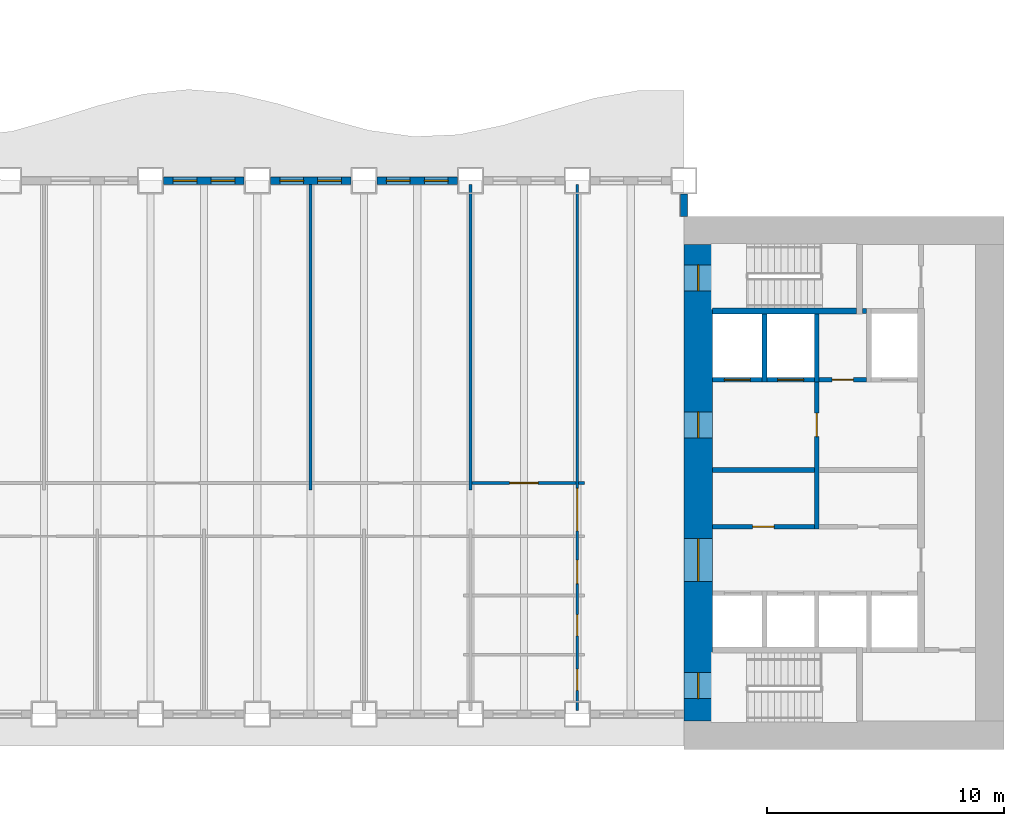
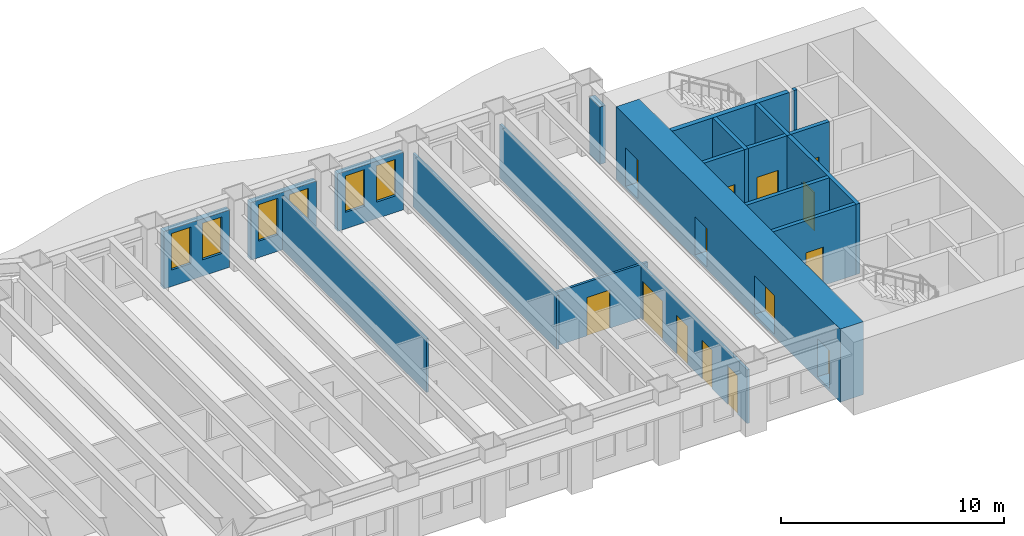
# One storey, part 6 of 15: 20 walls, 14 doors, 6 windows, 20 openings.
"""IFC4 building model written with IfcOpenShell, lengths in metres."""

from ifc_helpers import new_model, si_unit, direction, frame, frame_2d, origin, place, context, subcontext, project, spatial, rectangle, extrude, material, layer, layer_set, type_object, element, fill, save


model = new_model("IFC4")

# Units and contexts
model_context = context("Model", 3, precision=1e-05, world=origin(), true_north=direction((0.0, 1.0)))
body_context = subcontext(model_context, "Body", "Model", "MODEL_VIEW")
ifc_project = project(units=[si_unit("LENGTHUNIT", "METRE"), si_unit("AREAUNIT", "SQUARE_METRE"), si_unit("VOLUMEUNIT", "CUBIC_METRE"), si_unit("PLANEANGLEUNIT", "RADIAN"), si_unit("MASSUNIT", "GRAM", prefix="KILO")], contexts=[model_context])

# Site, building, storey
site_placement = place(None, origin())
site = spatial("IfcSite", under=ifc_project, at=site_placement, CompositionType="ELEMENT")
building_placement = place(site_placement, origin())
building = spatial("IfcBuilding", under=site, at=building_placement, Name="Sennacour Bend Tower", CompositionType="ELEMENT")
storey_placement = place(building_placement, frame((0.0, 0.0, 33.0)))
storey = spatial("IfcBuildingStorey", under=building, at=storey_placement, Name="L06", CompositionType="ELEMENT", Elevation=33.0)

# Wall, openings, doors
ifc_material_1 = material(Name="Concrete C80/95", Category="concrete")
ifc_layer_1 = layer(ifc_material_1, 1.199951171875, Name="Concrete C80/95", Category="concrete")
ifc_layer_set_1 = layer_set([ifc_layer_1], Name="Concrete C80/95")
wall_type_1 = type_object("IfcWallType", Name="Core wall 1200 C80/95", PredefinedType="SHEAR", material=ifc_layer_set_1)
wall_1_placement = place(storey_placement, frame((54.60009765625, 1.199951171875, -0.14990234375), z_axis=(0.0, 0.0, 1.0), x_axis=(0.0, 1.0, 0.0)))
wall_1 = element("IfcWall", 1, at=wall_1_placement, inside=storey, type_object=wall_type_1, Name="Core A wall L06 W", PredefinedType="SHEAR", context=body_context, shape_type="SweptSolid", body=[
    extrude(rectangle(XDim=20.10009765625, YDim=1.199951171875, at=frame_2d((10.050048828125, 0.0))), origin(), (0.0, 0.0, 1.0), 4.0),
])
opening_1_placement = place(wall_1_placement, frame((5.89990234375, 0.0, 0.14990234375)))
opening_1 = element("IfcOpeningElement", 2, at=opening_1_placement, cuts=wall_1, Name="Opening CD", PredefinedType="OPENING", context=body_context, shape_type="SweptSolid", body=[
    extrude(rectangle(XDim=1.800048828125, YDim=2.10009765625, at=frame_2d((0.89990234375, 1.050048828125))), frame((0.0, 0.60986328125, 0.0), z_axis=(0.0, -1.0, 0.0), x_axis=(1.0, 0.0, 0.0)), (0.0, 0.0, 1.0), 1.219970703125),
])
opening_2_placement = place(wall_1_placement, frame((11.949951171875, 0.0, 0.14990234375)))
opening_2 = element("IfcOpeningElement", 3, at=opening_2_placement, cuts=wall_1, Name="Opening FD", PredefinedType="OPENING", context=body_context, shape_type="SweptSolid", body=[
    extrude(rectangle(XDim=1.10009765625, YDim=2.10009765625, at=frame_2d((0.550048828125, 1.050048828125))), frame((0.0, 0.60986328125, 0.0), z_axis=(0.0, -1.0, 0.0), x_axis=(1.0, 0.0, 0.0)), (0.0, 0.0, 1.0), 1.219970703125),
])
opening_3_placement = place(wall_1_placement, frame((0.949951171875, 0.0, 0.14990234375)))
opening_3 = element("IfcOpeningElement", 4, at=opening_3_placement, cuts=wall_1, Name="Opening SD", PredefinedType="OPENING", context=body_context, shape_type="SweptSolid", body=[
    extrude(rectangle(XDim=1.10009765625, YDim=2.10009765625, at=frame_2d((0.550048828125, 1.050048828125))), frame((0.0, 0.60986328125, 0.0), z_axis=(0.0, -1.0, 0.0), x_axis=(1.0, 0.0, 0.0)), (0.0, 0.0, 1.0), 1.219970703125),
])
opening_4_placement = place(wall_1_placement, frame((18.14990234375, 0.0, 0.14990234375)))
opening_4 = element("IfcOpeningElement", 5, at=opening_4_placement, cuts=wall_1, Name="Opening SD", PredefinedType="OPENING", context=body_context, shape_type="SweptSolid", body=[
    extrude(rectangle(XDim=1.10009765625, YDim=2.10009765625, at=frame_2d((0.550048828125, 1.050048828125))), frame((0.0, 0.60986328125, 0.0), z_axis=(0.0, -1.0, 0.0), x_axis=(1.0, 0.0, 0.0)), (0.0, 0.0, 1.0), 1.219970703125),
])
ifc_material_2 = material(Name="Painted steel", Category="steel")
door_type_1 = type_object("IfcDoorType", Name="DR-FFL-1100", OperationType="NOTDEFINED", PredefinedType="DOOR", material=ifc_material_2)
door_1_placement = place(opening_2_placement, origin())
door_1 = element("IfcDoor", 6, at=door_1_placement, inside=storey, type_object=door_type_1, Name="Door", OperationType="SINGLE_SWING_RIGHT", OverallHeight=2.10009765625, OverallWidth=1.10009765625, PredefinedType="DOOR", context=body_context, shape_type="SweptSolid", body=[
    extrude(rectangle(XDim=1.10009765625, YDim=2.10009765625, at=frame_2d((0.550048828125, 1.050048828125))), frame((0.0, 0.02490234375, 0.0), z_axis=(0.0, -1.0, 0.0), x_axis=(1.0, 0.0, 0.0)), (0.0, 0.0, 1.0), 0.050048828125),
])
fill(opening_2, door_1)
door_type_2 = type_object("IfcDoorType", Name="DR-LOBBY-1800", OperationType="NOTDEFINED", PredefinedType="DOOR", material=ifc_material_2)
door_2_placement = place(opening_1_placement, origin())
door_2 = element("IfcDoor", 7, at=door_2_placement, inside=storey, type_object=door_type_2, Name="Door", OperationType="DOUBLE_DOOR_SINGLE_SWING", OverallHeight=2.10009765625, OverallWidth=1.800048828125, PredefinedType="DOOR", context=body_context, shape_type="SweptSolid", body=[
    extrude(rectangle(XDim=1.800048828125, YDim=2.10009765625, at=frame_2d((0.89990234375, 1.050048828125))), frame((0.0, 0.02490234375, 0.0), z_axis=(0.0, -1.0, 0.0), x_axis=(1.0, 0.0, 0.0)), (0.0, 0.0, 1.0), 0.050048828125),
])
fill(opening_1, door_2)
door_type_3 = type_object("IfcDoorType", Name="DR-STAIR-1100", OperationType="NOTDEFINED", PredefinedType="DOOR", material=ifc_material_2)
door_3_placement = place(opening_3_placement, origin())
door_3 = element("IfcDoor", 8, at=door_3_placement, inside=storey, type_object=door_type_3, Name="Door", OperationType="SINGLE_SWING_LEFT", OverallHeight=2.10009765625, OverallWidth=1.10009765625, PredefinedType="DOOR", context=body_context, shape_type="SweptSolid", body=[
    extrude(rectangle(XDim=1.10009765625, YDim=2.10009765625, at=frame_2d((0.550048828125, 1.050048828125))), frame((0.0, 0.02490234375, 0.0), z_axis=(0.0, -1.0, 0.0), x_axis=(1.0, 0.0, 0.0)), (0.0, 0.0, 1.0), 0.050048828125),
])
fill(opening_3, door_3)
door_4_placement = place(opening_4_placement, origin())
door_4 = element("IfcDoor", 9, at=door_4_placement, inside=storey, type_object=door_type_3, Name="Door", OperationType="SINGLE_SWING_RIGHT", OverallHeight=2.10009765625, OverallWidth=1.10009765625, PredefinedType="DOOR", context=body_context, shape_type="SweptSolid", body=[
    extrude(rectangle(XDim=1.10009765625, YDim=2.10009765625, at=frame_2d((0.550048828125, 1.050048828125))), frame((0.0, 0.02490234375, 0.0), z_axis=(0.0, -1.0, 0.0), x_axis=(1.0, 0.0, 0.0)), (0.0, 0.0, 1.0), 0.050048828125),
])
fill(opening_4, door_4)

# Walls
ifc_material_3 = material(Name="Plasterboard partition on steel studs", Category="steel")
ifc_layer_2 = layer(ifc_material_3, 0.1201171875, Name="Plasterboard partition on steel studs", Category="steel")
ifc_layer_set_2 = layer_set([ifc_layer_2], Name="Plasterboard partition on steel studs")
wall_type_2 = type_object("IfcWallType", Name="Partition 120", PredefinedType="PARTITIONING", material=ifc_layer_set_2)
for number, where, z_axis, x_axis, name in (
    (10, (38.25, 10.949951171875, 0.0), (0.0, 0.0, 1.0), (0.0, 1.0, 0.0), "P-L06-W030a"),
    (11, (45.0, 10.949951171875, 0.0), (0.0, 0.0, 1.0), (0.0, 1.0, 0.0), "P-L06-W033a"),
):
    element("IfcWall", number, at=place(storey_placement, frame(where, z_axis=z_axis, x_axis=x_axis)), inside=storey, type_object=wall_type_2, Name=name, PredefinedType="PARTITIONING", context=body_context, shape_type="SweptSolid", body=[
        extrude(rectangle(XDim=12.900146484375, YDim=0.1201171875, at=frame_2d((6.4501953125, 0.0))), origin(), (0.0, 0.0, 1.0), 2.93798828125),
    ])

# Wall, opening, door
wall_2_placement = place(storey_placement, frame((45.06005859375, 11.25, 0.0), z_axis=(0.0, 0.0, 1.0), x_axis=(1.0, 0.0, 0.0)))
wall_2 = element("IfcWall", 12, at=wall_2_placement, inside=storey, type_object=wall_type_2, Name="P-L06-W060af", PredefinedType="PARTITIONING", context=body_context, shape_type="SweptSolid", body=[
    extrude(rectangle(XDim=4.3798828125, YDim=0.1201171875, at=frame_2d((2.18994140625, 0.0))), origin(), (0.0, 0.0, 1.0), 2.93798828125),
])
opening_5_placement = place(wall_2_placement, frame((1.58984375, 0.0, 0.0)))
opening_5 = element("IfcOpeningElement", 13, at=opening_5_placement, cuts=wall_2, Name="Opening MD", PredefinedType="OPENING", context=body_context, shape_type="SweptSolid", body=[
    extrude(rectangle(XDim=1.199951171875, YDim=2.10009765625, at=frame_2d((0.60009765625, 1.050048828125))), frame((0.0, 0.070068359375, 0.0), z_axis=(0.0, -1.0, 0.0), x_axis=(1.0, 0.0, 0.0)), (0.0, 0.0, 1.0), 0.14013671875),
])
ifc_material_4 = material(Name="Timber", Category="wood")
door_type_4 = type_object("IfcDoorType", Name="DR-MEETING-1200", OperationType="NOTDEFINED", PredefinedType="DOOR", material=ifc_material_4)
door_5_placement = place(opening_5_placement, origin())
door_5 = element("IfcDoor", 14, at=door_5_placement, inside=storey, type_object=door_type_4, Name="Door", OperationType="SINGLE_SWING_LEFT", OverallHeight=2.10009765625, OverallWidth=1.199951171875, PredefinedType="DOOR", context=body_context, shape_type="SweptSolid", body=[
    extrude(rectangle(XDim=1.199951171875, YDim=2.10009765625, at=frame_2d((0.60009765625, 1.050048828125))), frame((0.0, 0.02490234375, 0.0), z_axis=(0.0, -1.0, 0.0), x_axis=(1.0, 0.0, 0.0)), (0.0, 0.0, 1.0), 0.050048828125),
])
fill(opening_5, door_5)

# Wall
wall_3_placement = place(storey_placement, frame((49.56005859375, 11.25, 0.0), z_axis=(0.0, 0.0, 1.0), x_axis=(1.0, 0.0, 0.0)))
element("IfcWall", 15, at=wall_3_placement, inside=storey, type_object=wall_type_2, Name="P-L06-W060ag", PredefinedType="PARTITIONING", context=body_context, shape_type="SweptSolid", body=[
    extrude(rectangle(XDim=0.239990234375, YDim=0.1201171875, at=frame_2d((0.1201171875, 0.0))), origin(), (0.0, 0.0, 1.0), 2.93798828125),
])

# Wall, openings, doors
ifc_layer_3 = layer(ifc_material_3, 0.1201171875, Name="Plasterboard partition on steel studs", Category="steel")
ifc_layer_set_3 = layer_set([ifc_layer_3], Name="Plasterboard partition on steel studs")
wall_type_3 = type_object("IfcWallType", Name="Partition 120 EI 30", PredefinedType="PARTITIONING", material=ifc_layer_set_3)
wall_4_placement = place(storey_placement, frame((49.5, 1.64990234375, 0.0), z_axis=(0.0, 0.0, 1.0), x_axis=(0.0, 1.0, 0.0)))
wall_4 = element("IfcWall", 16, at=wall_4_placement, inside=storey, type_object=wall_type_3, Name="P-L06-W034a", PredefinedType="PARTITIONING", context=body_context, shape_type="SweptSolid", body=[
    extrude(rectangle(XDim=22.2001953125, YDim=0.1201171875, at=frame_2d((11.10009765625, 0.0))), origin(), (0.0, 0.0, 1.0), 2.93798828125),
])
opening_6_placement = place(wall_4_placement, frame((7.5751953125, 0.0, 0.0)))
opening_6 = element("IfcOpeningElement", 17, at=opening_6_placement, cuts=wall_4, Name="Opening KD3", PredefinedType="OPENING", context=body_context, shape_type="SweptSolid", body=[
    extrude(rectangle(XDim=1.800048828125, YDim=2.10009765625, at=frame_2d((0.89990234375, 1.050048828125))), frame((0.0, 0.070068359375, 0.0), z_axis=(0.0, -1.0, 0.0), x_axis=(1.0, 0.0, 0.0)), (0.0, 0.0, 1.0), 0.14013671875),
])
opening_7_placement = place(wall_4_placement, frame((0.85009765625, 0.0, 0.0)))
opening_7 = element("IfcOpeningElement", 18, at=opening_7_placement, cuts=wall_4, Name="Opening WD", PredefinedType="OPENING", context=body_context, shape_type="SweptSolid", body=[
    extrude(rectangle(XDim=0.89990234375, YDim=2.10009765625, at=frame_2d((0.449951171875, 1.050048828125))), frame((0.0, 0.070068359375, 0.0), z_axis=(0.0, -1.0, 0.0), x_axis=(1.0, 0.0, 0.0)), (0.0, 0.0, 1.0), 0.14013671875),
])
opening_8_placement = place(wall_4_placement, frame((3.150146484375, 0.0, 0.0)))
opening_8 = element("IfcOpeningElement", 19, at=opening_8_placement, cuts=wall_4, Name="Opening WD", PredefinedType="OPENING", context=body_context, shape_type="SweptSolid", body=[
    extrude(rectangle(XDim=0.89990234375, YDim=2.10009765625, at=frame_2d((0.449951171875, 1.050048828125))), frame((0.0, 0.070068359375, 0.0), z_axis=(0.0, -1.0, 0.0), x_axis=(1.0, 0.0, 0.0)), (0.0, 0.0, 1.0), 0.14013671875),
])
opening_9_placement = place(wall_4_placement, frame((5.35009765625, 0.0, 0.0)))
opening_9 = element("IfcOpeningElement", 20, at=opening_9_placement, cuts=wall_4, Name="Opening AD", PredefinedType="OPENING", context=body_context, shape_type="SweptSolid", body=[
    extrude(rectangle(XDim=1.0, YDim=2.10009765625, at=frame_2d((0.5, 1.050048828125))), frame((0.0, 0.070068359375, 0.0), z_axis=(0.0, -1.0, 0.0), x_axis=(1.0, 0.0, 0.0)), (0.0, 0.0, 1.0), 0.14013671875),
])
door_type_5 = type_object("IfcDoorType", Name="DR-ACC-WC-1000", OperationType="NOTDEFINED", PredefinedType="DOOR", material=ifc_material_4)
door_6_placement = place(opening_9_placement, origin())
door_6 = element("IfcDoor", 21, at=door_6_placement, inside=storey, type_object=door_type_5, Name="Door", OperationType="SINGLE_SWING_LEFT", OverallHeight=2.10009765625, OverallWidth=1.0, PredefinedType="DOOR", context=body_context, shape_type="SweptSolid", body=[
    extrude(rectangle(XDim=1.0, YDim=2.10009765625, at=frame_2d((0.5, 1.050048828125))), frame((0.0, 0.02490234375, 0.0), z_axis=(0.0, -1.0, 0.0), x_axis=(1.0, 0.0, 0.0)), (0.0, 0.0, 1.0), 0.050048828125),
])
fill(opening_9, door_6)
door_type_6 = type_object("IfcDoorType", Name="DR-CORRIDOR-1800", OperationType="NOTDEFINED", PredefinedType="DOOR", material=ifc_material_2)
door_7_placement = place(opening_6_placement, origin())
door_7 = element("IfcDoor", 22, at=door_7_placement, inside=storey, type_object=door_type_6, Name="Door", OperationType="DOUBLE_DOOR_SINGLE_SWING", OverallHeight=2.10009765625, OverallWidth=1.800048828125, PredefinedType="DOOR", context=body_context, shape_type="SweptSolid", body=[
    extrude(rectangle(XDim=1.800048828125, YDim=2.10009765625, at=frame_2d((0.89990234375, 1.050048828125))), frame((0.0, 0.02490234375, 0.0), z_axis=(0.0, -1.0, 0.0), x_axis=(1.0, 0.0, 0.0)), (0.0, 0.0, 1.0), 0.050048828125),
])
fill(opening_6, door_7)
door_type_7 = type_object("IfcDoorType", Name="DR-WC-900", OperationType="NOTDEFINED", PredefinedType="DOOR", material=ifc_material_4)
door_8_placement = place(opening_7_placement, origin())
door_8 = element("IfcDoor", 23, at=door_8_placement, inside=storey, type_object=door_type_7, Name="Door", OperationType="SINGLE_SWING_LEFT", OverallHeight=2.10009765625, OverallWidth=0.89990234375, PredefinedType="DOOR", context=body_context, shape_type="SweptSolid", body=[
    extrude(rectangle(XDim=0.89990234375, YDim=2.10009765625, at=frame_2d((0.449951171875, 1.050048828125))), frame((0.0, 0.02490234375, 0.0), z_axis=(0.0, -1.0, 0.0), x_axis=(1.0, 0.0, 0.0)), (0.0, 0.0, 1.0), 0.050048828125),
])
fill(opening_7, door_8)
door_9_placement = place(opening_8_placement, origin())
door_9 = element("IfcDoor", 24, at=door_9_placement, inside=storey, type_object=door_type_7, Name="Door", OperationType="SINGLE_SWING_LEFT", OverallHeight=2.10009765625, OverallWidth=0.89990234375, PredefinedType="DOOR", context=body_context, shape_type="SweptSolid", body=[
    extrude(rectangle(XDim=0.89990234375, YDim=2.10009765625, at=frame_2d((0.449951171875, 1.050048828125))), frame((0.0, 0.02490234375, 0.0), z_axis=(0.0, -1.0, 0.0), x_axis=(1.0, 0.0, 0.0)), (0.0, 0.0, 1.0), 0.050048828125),
])
fill(opening_8, door_9)

# Wall, opening, door
ifc_material_5 = material(Name="Fire-rated plasterboard partition on steel studs", Category="steel")
ifc_layer_4 = layer(ifc_material_5, 0.199951171875, Name="Fire-rated plasterboard partition on steel studs", Category="steel")
ifc_layer_set_4 = layer_set([ifc_layer_4], Name="Fire-rated plasterboard partition on steel studs")
wall_type_4 = type_object("IfcWallType", Name="Rated partition 200", PredefinedType="PARTITIONING", material=ifc_layer_set_4)
wall_5_placement = place(storey_placement, frame((55.199951171875, 9.39990234375, 0.0), z_axis=(0.0, 0.0, 1.0), x_axis=(1.0, 0.0, 0.0)))
wall_5 = element("IfcWall", 25, at=wall_5_placement, inside=storey, type_object=wall_type_4, Name="P-L06-W059a", PredefinedType="PARTITIONING", context=body_context, shape_type="SweptSolid", body=[
    extrude(rectangle(XDim=4.300048828125, YDim=0.199951171875, at=frame_2d((2.14990234375, 0.0))), origin(), (0.0, 0.0, 1.0), 3.85009765625),
])
opening_10_placement = place(wall_5_placement, frame((1.699951171875, 0.0, 0.0)))
opening_10 = element("IfcOpeningElement", 26, at=opening_10_placement, cuts=wall_5, Name="Opening SV", PredefinedType="OPENING", context=body_context, shape_type="SweptSolid", body=[
    extrude(rectangle(XDim=0.89990234375, YDim=2.10009765625, at=frame_2d((0.449951171875, 1.050048828125))), frame((0.0, 0.10986328125, 0.0), z_axis=(0.0, -1.0, 0.0), x_axis=(1.0, 0.0, 0.0)), (0.0, 0.0, 1.0), 0.219970703125),
])
door_type_8 = type_object("IfcDoorType", Name="DR-SERVICE-900", OperationType="NOTDEFINED", PredefinedType="DOOR", material=ifc_material_2)
door_10_placement = place(opening_10_placement, origin())
door_10 = element("IfcDoor", 27, at=door_10_placement, inside=storey, type_object=door_type_8, Name="Door", OperationType="SINGLE_SWING_LEFT", OverallHeight=2.10009765625, OverallWidth=0.89990234375, PredefinedType="DOOR", context=body_context, shape_type="SweptSolid", body=[
    extrude(rectangle(XDim=0.89990234375, YDim=2.10009765625, at=frame_2d((0.449951171875, 1.050048828125))), frame((0.0, 0.02490234375, 0.0), z_axis=(0.0, -1.0, 0.0), x_axis=(1.0, 0.0, 0.0)), (0.0, 0.0, 1.0), 0.050048828125),
])
fill(opening_10, door_10)

# Wall
wall_6_placement = place(storey_placement, frame((55.199951171875, 11.800048828125, 0.0), z_axis=(0.0, 0.0, 1.0), x_axis=(1.0, 0.0, 0.0)))
element("IfcWall", 28, at=wall_6_placement, inside=storey, type_object=wall_type_4, Name="P-L06-W061a", PredefinedType="PARTITIONING", context=body_context, shape_type="SweptSolid", body=[
    extrude(rectangle(XDim=4.300048828125, YDim=0.199951171875, at=frame_2d((2.14990234375, 0.0))), origin(), (0.0, 0.0, 1.0), 3.85009765625),
])

# Wall, opening, door
wall_7_placement = place(storey_placement, frame((59.699951171875, 15.60009765625, 0.0), z_axis=(0.0, 0.0, 1.0), x_axis=(1.0, 0.0, 0.0)))
wall_7 = element("IfcWall", 29, at=wall_7_placement, inside=storey, type_object=wall_type_4, Name="P-L06-W063", PredefinedType="PARTITIONING", context=body_context, shape_type="SweptSolid", body=[
    extrude(rectangle(XDim=2.0, YDim=0.199951171875, at=frame_2d((1.0, 0.0))), origin(), (0.0, 0.0, 1.0), 3.85009765625),
])
opening_11_placement = place(wall_7_placement, frame((0.550048828125, 0.0, 0.0)))
opening_11 = element("IfcOpeningElement", 30, at=opening_11_placement, cuts=wall_7, Name="Opening SV", PredefinedType="OPENING", context=body_context, shape_type="SweptSolid", body=[
    extrude(rectangle(XDim=0.89990234375, YDim=2.10009765625, at=frame_2d((0.449951171875, 1.050048828125))), frame((0.0, 0.10986328125, 0.0), z_axis=(0.0, -1.0, 0.0), x_axis=(1.0, 0.0, 0.0)), (0.0, 0.0, 1.0), 0.219970703125),
])
door_11_placement = place(opening_11_placement, origin())
door_11 = element("IfcDoor", 31, at=door_11_placement, inside=storey, type_object=door_type_8, Name="Door", OperationType="SINGLE_SWING_LEFT", OverallHeight=2.10009765625, OverallWidth=0.89990234375, PredefinedType="DOOR", context=body_context, shape_type="SweptSolid", body=[
    extrude(rectangle(XDim=0.89990234375, YDim=2.10009765625, at=frame_2d((0.449951171875, 1.050048828125))), frame((0.0, 0.02490234375, 0.0), z_axis=(0.0, -1.0, 0.0), x_axis=(1.0, 0.0, 0.0)), (0.0, 0.0, 1.0), 0.050048828125),
])
fill(opening_11, door_11)

# Wall
wall_8_placement = place(storey_placement, frame((61.52490234375, 18.5, 0.0), z_axis=(0.0, 0.0, 1.0), x_axis=(1.0, 0.0, 0.0)))
element("IfcWall", 32, at=wall_8_placement, inside=storey, type_object=wall_type_4, Name="P-L06-W067", PredefinedType="PARTITIONING", context=body_context, shape_type="SweptSolid", body=[
    extrude(rectangle(XDim=0.175048828125, YDim=0.199951171875, at=frame_2d((0.08740234375, 0.0))), origin(), (0.0, 0.0, 1.0), 3.85009765625),
])

# Wall, opening, door
ifc_layer_5 = layer(ifc_material_5, 0.199951171875, Name="Fire-rated plasterboard partition on steel studs", Category="steel")
ifc_layer_set_5 = layer_set([ifc_layer_5], Name="Fire-rated plasterboard partition on steel studs")
wall_type_5 = type_object("IfcWallType", Name="Rated partition 200 EI 90", PredefinedType="PARTITIONING", material=ifc_layer_set_5)
wall_9_placement = place(storey_placement, frame((59.60009765625, 9.300048828125, 0.0), z_axis=(0.0, 0.0, 1.0), x_axis=(0.0, 1.0, 0.0)))
wall_9 = element("IfcWall", 33, at=wall_9_placement, inside=storey, type_object=wall_type_5, Name="P-L06-W039", PredefinedType="PARTITIONING", context=body_context, shape_type="SweptSolid", body=[
    extrude(rectangle(XDim=6.199951171875, YDim=0.199951171875, at=frame_2d((3.10009765625, 0.0))), origin(), (0.0, 0.0, 1.0), 3.85009765625),
])
opening_12_placement = place(wall_9_placement, frame((3.89990234375, 0.0, 0.0)))
opening_12 = element("IfcOpeningElement", 34, at=opening_12_placement, cuts=wall_9, Name="Opening FD2", PredefinedType="OPENING", context=body_context, shape_type="SweptSolid", body=[
    extrude(rectangle(XDim=1.0, YDim=2.10009765625, at=frame_2d((0.5, 1.050048828125))), frame((0.0, 0.10986328125, 0.0), z_axis=(0.0, -1.0, 0.0), x_axis=(1.0, 0.0, 0.0)), (0.0, 0.0, 1.0), 0.219970703125),
])
door_type_9 = type_object("IfcDoorType", Name="DR-FFL-1000", OperationType="NOTDEFINED", PredefinedType="DOOR", material=ifc_material_2)
door_12_placement = place(opening_12_placement, origin())
door_12 = element("IfcDoor", 35, at=door_12_placement, inside=storey, type_object=door_type_9, Name="Door", OperationType="SINGLE_SWING_RIGHT", OverallHeight=2.10009765625, OverallWidth=1.0, PredefinedType="DOOR", context=body_context, shape_type="SweptSolid", body=[
    extrude(rectangle(XDim=1.0, YDim=2.10009765625, at=frame_2d((0.5, 1.050048828125))), frame((0.0, 0.02490234375, 0.0), z_axis=(0.0, -1.0, 0.0), x_axis=(1.0, 0.0, 0.0)), (0.0, 0.0, 1.0), 0.050048828125),
])
fill(opening_12, door_12)

# Wall
ifc_material_6 = material(Name="Warm limestone cladding", Category="masonry")
ifc_layer_6 = layer(ifc_material_6, 0.050048828125, Name="Warm limestone cladding", Category="masonry")
ifc_material_7 = material(Name="Precast concrete C40/50", Category="concrete")
ifc_layer_7 = layer(ifc_material_7, 0.25, Name="Precast concrete C40/50", Category="concrete")
ifc_layer_set_6 = layer_set([ifc_layer_6, ifc_layer_7], Name="Precast concrete C40/50 with limestone cladding")
wall_type_6 = type_object("IfcWallType", Name="STONE-CLAD PRECAST SPANDREL 300", PredefinedType="STANDARD", material=ifc_layer_set_6)
wall_10_placement = place(storey_placement, frame((54.0, 22.5, 0.0), z_axis=(0.0, 0.0, 1.0), x_axis=(0.0, 1.0, 0.0)))
element("IfcWall", 36, at=wall_10_placement, inside=storey, type_object=wall_type_6, Name="Stone spandrel and pier wall L06 07.00", PredefinedType="STANDARD", context=body_context, shape_type="SweptSolid", body=[
    extrude(rectangle(XDim=0.949951171875, YDim=0.300048828125, at=frame_2d((0.47509765625, 0.0))), origin(), (0.0, 0.0, 1.0), 3.14404296875),
])

# Wall, openings, windows
wall_11_placement = place(storey_placement, frame((44.449951171875, 24.0, 0.0), z_axis=(0.0, 0.0, 1.0), x_axis=(-1.0, 0.0, 0.0)))
wall_11 = element("IfcWall", 37, at=wall_11_placement, inside=storey, type_object=wall_type_6, Name="Stone spandrel and pier wall L06 08.02", PredefinedType="STANDARD", context=body_context, shape_type="SweptSolid", body=[
    extrude(rectangle(XDim=3.39990234375, YDim=0.300048828125, at=frame_2d((1.699951171875, 0.0))), origin(), (0.0, 0.0, 1.0), 3.14404296875),
])
opening_13_placement = place(wall_11_placement, frame((0.39990234375, 0.0, 0.89990234375)))
opening_13 = element("IfcOpeningElement", 38, at=opening_13_placement, cuts=wall_11, Name="Opening W8", PredefinedType="OPENING", context=body_context, shape_type="SweptSolid", body=[
    extrude(rectangle(XDim=1.0, YDim=2.0, at=frame_2d((0.5, 1.0))), frame((0.0, 0.16015625, 0.0), z_axis=(0.0, -1.0, 0.0), x_axis=(1.0, 0.0, 0.0)), (0.0, 0.0, 1.0), 0.320068359375),
])
opening_14_placement = place(wall_11_placement, frame((2.0, 0.0, 0.89990234375)))
opening_14 = element("IfcOpeningElement", 39, at=opening_14_placement, cuts=wall_11, Name="Opening W8", PredefinedType="OPENING", context=body_context, shape_type="SweptSolid", body=[
    extrude(rectangle(XDim=1.0, YDim=2.0, at=frame_2d((0.5, 1.0))), frame((0.0, 0.16015625, 0.0), z_axis=(0.0, -1.0, 0.0), x_axis=(1.0, 0.0, 0.0)), (0.0, 0.0, 1.0), 0.320068359375),
])
ifc_material_8 = material(Name="Clear low-emissivity glass", Category="glass")
window_type = type_object("IfcWindowType", Name="WIN-RIBBON-1000x2000", PartitioningType="SINGLE_PANEL", PredefinedType="WINDOW", material=ifc_material_8)
window_1_placement = place(opening_13_placement, origin())
window_1 = element("IfcWindow", 40, at=window_1_placement, inside=storey, type_object=window_type, Name="Ribbon window L06 08.02.0", OverallHeight=2.0, OverallWidth=1.0, PartitioningType="SINGLE_PANEL", PredefinedType="WINDOW", context=body_context, shape_type="SweptSolid", body=[
    extrude(rectangle(XDim=1.0, YDim=2.0, at=frame_2d((0.5, 1.0))), frame((0.0, 0.030029296875, 0.0), z_axis=(0.0, -1.0, 0.0), x_axis=(1.0, 0.0, 0.0)), (0.0, 0.0, 1.0), 0.06005859375),
])
fill(opening_13, window_1)
window_2_placement = place(opening_14_placement, origin())
window_2 = element("IfcWindow", 41, at=window_2_placement, inside=storey, type_object=window_type, Name="Ribbon window L06 08.02.1", OverallHeight=2.0, OverallWidth=1.0, PartitioningType="SINGLE_PANEL", PredefinedType="WINDOW", context=body_context, shape_type="SweptSolid", body=[
    extrude(rectangle(XDim=1.0, YDim=2.0, at=frame_2d((0.5, 1.0))), frame((0.0, 0.030029296875, 0.0), z_axis=(0.0, -1.0, 0.0), x_axis=(1.0, 0.0, 0.0)), (0.0, 0.0, 1.0), 0.06005859375),
])
fill(opening_14, window_2)

wall_12_placement = place(storey_placement, frame((39.949951171875, 24.0, 0.0), z_axis=(0.0, 0.0, 1.0), x_axis=(-1.0, 0.0, 0.0)))
wall_12 = element("IfcWall", 42, at=wall_12_placement, inside=storey, type_object=wall_type_6, Name="Stone spandrel and pier wall L06 08.03", PredefinedType="STANDARD", context=body_context, shape_type="SweptSolid", body=[
    extrude(rectangle(XDim=3.39990234375, YDim=0.300048828125, at=frame_2d((1.699951171875, 0.0))), origin(), (0.0, 0.0, 1.0), 3.14404296875),
])
opening_15_placement = place(wall_12_placement, frame((0.39990234375, 0.0, 0.89990234375)))
opening_15 = element("IfcOpeningElement", 43, at=opening_15_placement, cuts=wall_12, Name="Opening W8", PredefinedType="OPENING", context=body_context, shape_type="SweptSolid", body=[
    extrude(rectangle(XDim=1.0, YDim=2.0, at=frame_2d((0.5, 1.0))), frame((0.0, 0.16015625, 0.0), z_axis=(0.0, -1.0, 0.0), x_axis=(1.0, 0.0, 0.0)), (0.0, 0.0, 1.0), 0.320068359375),
])
opening_16_placement = place(wall_12_placement, frame((2.0, 0.0, 0.89990234375)))
opening_16 = element("IfcOpeningElement", 44, at=opening_16_placement, cuts=wall_12, Name="Opening W8", PredefinedType="OPENING", context=body_context, shape_type="SweptSolid", body=[
    extrude(rectangle(XDim=1.0, YDim=2.0, at=frame_2d((0.5, 1.0))), frame((0.0, 0.16015625, 0.0), z_axis=(0.0, -1.0, 0.0), x_axis=(1.0, 0.0, 0.0)), (0.0, 0.0, 1.0), 0.320068359375),
])
window_3_placement = place(opening_15_placement, origin())
window_3 = element("IfcWindow", 45, at=window_3_placement, inside=storey, type_object=window_type, Name="Ribbon window L06 08.03.0", OverallHeight=2.0, OverallWidth=1.0, PartitioningType="SINGLE_PANEL", PredefinedType="WINDOW", context=body_context, shape_type="SweptSolid", body=[
    extrude(rectangle(XDim=1.0, YDim=2.0, at=frame_2d((0.5, 1.0))), frame((0.0, 0.030029296875, 0.0), z_axis=(0.0, -1.0, 0.0), x_axis=(1.0, 0.0, 0.0)), (0.0, 0.0, 1.0), 0.06005859375),
])
fill(opening_15, window_3)
window_4_placement = place(opening_16_placement, origin())
window_4 = element("IfcWindow", 46, at=window_4_placement, inside=storey, type_object=window_type, Name="Ribbon window L06 08.03.1", OverallHeight=2.0, OverallWidth=1.0, PartitioningType="SINGLE_PANEL", PredefinedType="WINDOW", context=body_context, shape_type="SweptSolid", body=[
    extrude(rectangle(XDim=1.0, YDim=2.0, at=frame_2d((0.5, 1.0))), frame((0.0, 0.030029296875, 0.0), z_axis=(0.0, -1.0, 0.0), x_axis=(1.0, 0.0, 0.0)), (0.0, 0.0, 1.0), 0.06005859375),
])
fill(opening_16, window_4)

wall_13_placement = place(storey_placement, frame((35.449951171875, 24.0, 0.0), z_axis=(0.0, 0.0, 1.0), x_axis=(-1.0, 0.0, 0.0)))
wall_13 = element("IfcWall", 47, at=wall_13_placement, inside=storey, type_object=wall_type_6, Name="Stone spandrel and pier wall L06 08.04", PredefinedType="STANDARD", context=body_context, shape_type="SweptSolid", body=[
    extrude(rectangle(XDim=3.39990234375, YDim=0.300048828125, at=frame_2d((1.699951171875, 0.0))), origin(), (0.0, 0.0, 1.0), 3.14404296875),
])
opening_17_placement = place(wall_13_placement, frame((0.39990234375, 0.0, 0.89990234375)))
opening_17 = element("IfcOpeningElement", 48, at=opening_17_placement, cuts=wall_13, Name="Opening W8", PredefinedType="OPENING", context=body_context, shape_type="SweptSolid", body=[
    extrude(rectangle(XDim=1.0, YDim=2.0, at=frame_2d((0.5, 1.0))), frame((0.0, 0.16015625, 0.0), z_axis=(0.0, -1.0, 0.0), x_axis=(1.0, 0.0, 0.0)), (0.0, 0.0, 1.0), 0.320068359375),
])
opening_18_placement = place(wall_13_placement, frame((2.0, 0.0, 0.89990234375)))
opening_18 = element("IfcOpeningElement", 49, at=opening_18_placement, cuts=wall_13, Name="Opening W8", PredefinedType="OPENING", context=body_context, shape_type="SweptSolid", body=[
    extrude(rectangle(XDim=1.0, YDim=2.0, at=frame_2d((0.5, 1.0))), frame((0.0, 0.16015625, 0.0), z_axis=(0.0, -1.0, 0.0), x_axis=(1.0, 0.0, 0.0)), (0.0, 0.0, 1.0), 0.320068359375),
])
window_5_placement = place(opening_17_placement, origin())
window_5 = element("IfcWindow", 50, at=window_5_placement, inside=storey, type_object=window_type, Name="Ribbon window L06 08.04.0", OverallHeight=2.0, OverallWidth=1.0, PartitioningType="SINGLE_PANEL", PredefinedType="WINDOW", context=body_context, shape_type="SweptSolid", body=[
    extrude(rectangle(XDim=1.0, YDim=2.0, at=frame_2d((0.5, 1.0))), frame((0.0, 0.030029296875, 0.0), z_axis=(0.0, -1.0, 0.0), x_axis=(1.0, 0.0, 0.0)), (0.0, 0.0, 1.0), 0.06005859375),
])
fill(opening_17, window_5)
window_6_placement = place(opening_18_placement, origin())
window_6 = element("IfcWindow", 51, at=window_6_placement, inside=storey, type_object=window_type, Name="Ribbon window L06 08.04.1", OverallHeight=2.0, OverallWidth=1.0, PartitioningType="SINGLE_PANEL", PredefinedType="WINDOW", context=body_context, shape_type="SweptSolid", body=[
    extrude(rectangle(XDim=1.0, YDim=2.0, at=frame_2d((0.5, 1.0))), frame((0.0, 0.030029296875, 0.0), z_axis=(0.0, -1.0, 0.0), x_axis=(1.0, 0.0, 0.0)), (0.0, 0.0, 1.0), 0.06005859375),
])
fill(opening_18, window_6)

# Walls
ifc_material_9 = material(Name="Concrete C50/60", Category="concrete")
ifc_layer_8 = layer(ifc_material_9, 0.199951171875, Name="Concrete C50/60", Category="concrete")
ifc_layer_set_7 = layer_set([ifc_layer_8], Name="Concrete C50/60")
wall_type_7 = type_object("IfcWallType", Name="Shaft wall 200", PredefinedType="SOLIDWALL", material=ifc_layer_set_7)
for number, where, z_axis, x_axis, name in (
    (52, (57.39990234375, 15.5, 0.0), (0.0, 0.0, 1.0), (0.0, 1.0, 0.0), "P-L06-W037"),
    (53, (59.60009765625, 15.5, 0.0), (0.0, 0.0, 1.0), (0.0, 1.0, 0.0), "P-L06-W040"),
):
    element("IfcWall", number, at=place(storey_placement, frame(where, z_axis=z_axis, x_axis=x_axis)), inside=storey, type_object=wall_type_7, Name=name, PredefinedType="SOLIDWALL", context=body_context, shape_type="SweptSolid", body=[
        extrude(rectangle(XDim=2.875, YDim=0.199951171875, at=frame_2d((1.4375, 0.0))), origin(), (0.0, 0.0, 1.0), 3.85009765625),
    ])

# Wall, opening, door
wall_14_placement = place(storey_placement, frame((55.199951171875, 15.60009765625, 0.0), z_axis=(0.0, 0.0, 1.0), x_axis=(1.0, 0.0, 0.0)))
wall_14 = element("IfcWall", 54, at=wall_14_placement, inside=storey, type_object=wall_type_7, Name="P-L06-W062a", PredefinedType="SOLIDWALL", context=body_context, shape_type="SweptSolid", body=[
    extrude(rectangle(XDim=2.10009765625, YDim=0.199951171875, at=frame_2d((1.050048828125, 0.0))), origin(), (0.0, 0.0, 1.0), 3.85009765625),
])
opening_19_placement = place(wall_14_placement, frame((0.5, 0.0, 0.011962890625)))
opening_19 = element("IfcOpeningElement", 55, at=opening_19_placement, cuts=wall_14, Name="Opening FLD", PredefinedType="OPENING", context=body_context, shape_type="SweptSolid", body=[
    extrude(rectangle(XDim=1.10009765625, YDim=2.10009765625, at=frame_2d((0.550048828125, 1.050048828125))), frame((0.0, 0.10986328125, 0.0), z_axis=(0.0, -1.0, 0.0), x_axis=(1.0, 0.0, 0.0)), (0.0, 0.0, 1.0), 0.219970703125),
])
ifc_material_10 = material(Name="Stainless steel", Category="steel")
door_type_10 = type_object("IfcDoorType", Name="DR-FF-LANDING-1100", OperationType="NOTDEFINED", PredefinedType="DOOR", material=ifc_material_10)
door_13_placement = place(opening_19_placement, origin())
door_13 = element("IfcDoor", 56, at=door_13_placement, inside=storey, type_object=door_type_10, Name="Fire service lift landing door FA1", OperationType="SLIDING_TO_LEFT", OverallHeight=2.10009765625, OverallWidth=1.10009765625, PredefinedType="DOOR", context=body_context, shape_type="SweptSolid", body=[
    extrude(rectangle(XDim=1.10009765625, YDim=2.10009765625, at=frame_2d((0.550048828125, 1.050048828125))), frame((0.0, 0.02490234375, 0.0), z_axis=(0.0, -1.0, 0.0), x_axis=(1.0, 0.0, 0.0)), (0.0, 0.0, 1.0), 0.050048828125),
])
fill(opening_19, door_13)

wall_15_placement = place(storey_placement, frame((57.5, 15.60009765625, 0.0), z_axis=(0.0, 0.0, 1.0), x_axis=(1.0, 0.0, 0.0)))
wall_15 = element("IfcWall", 57, at=wall_15_placement, inside=storey, type_object=wall_type_7, Name="P-L06-W062b", PredefinedType="SOLIDWALL", context=body_context, shape_type="SweptSolid", body=[
    extrude(rectangle(XDim=2.0, YDim=0.199951171875, at=frame_2d((1.0, 0.0))), origin(), (0.0, 0.0, 1.0), 3.85009765625),
])
opening_20_placement = place(wall_15_placement, frame((0.449951171875, 0.0, 0.011962890625)))
opening_20 = element("IfcOpeningElement", 58, at=opening_20_placement, cuts=wall_15, Name="Opening FLD", PredefinedType="OPENING", context=body_context, shape_type="SweptSolid", body=[
    extrude(rectangle(XDim=1.10009765625, YDim=2.10009765625, at=frame_2d((0.550048828125, 1.050048828125))), frame((0.0, 0.10986328125, 0.0), z_axis=(0.0, -1.0, 0.0), x_axis=(1.0, 0.0, 0.0)), (0.0, 0.0, 1.0), 0.219970703125),
])
door_14_placement = place(opening_20_placement, origin())
door_14 = element("IfcDoor", 59, at=door_14_placement, inside=storey, type_object=door_type_10, Name="Fire service lift landing door FA2", OperationType="SLIDING_TO_RIGHT", OverallHeight=2.10009765625, OverallWidth=1.10009765625, PredefinedType="DOOR", context=body_context, shape_type="SweptSolid", body=[
    extrude(rectangle(XDim=1.10009765625, YDim=2.10009765625, at=frame_2d((0.550048828125, 1.050048828125))), frame((0.0, 0.02490234375, 0.0), z_axis=(0.0, -1.0, 0.0), x_axis=(1.0, 0.0, 0.0)), (0.0, 0.0, 1.0), 0.050048828125),
])
fill(opening_20, door_14)

# Wall
ifc_material_11 = material(Name="Concrete C60/75", Category="concrete")
ifc_layer_9 = layer(ifc_material_11, 0.25, Name="Concrete C60/75", Category="concrete")
ifc_layer_set_8 = layer_set([ifc_layer_9], Name="Concrete C60/75")
wall_type_8 = type_object("IfcWallType", Name="Stair wall 250", PredefinedType="SHEAR", material=ifc_layer_set_8)
wall_16_placement = place(storey_placement, frame((55.199951171875, 18.5, 0.0), z_axis=(0.0, 0.0, 1.0), x_axis=(1.0, 0.0, 0.0)))
element("IfcWall", 60, at=wall_16_placement, inside=storey, type_object=wall_type_8, Name="P-L06-W066", PredefinedType="SHEAR", context=body_context, shape_type="SweptSolid", body=[
    extrude(rectangle(XDim=6.074951171875, YDim=0.25, at=frame_2d((3.03759765625, 0.0))), origin(), (0.0, 0.0, 1.0), 3.85009765625),
])

save(model, "model.ifc")
